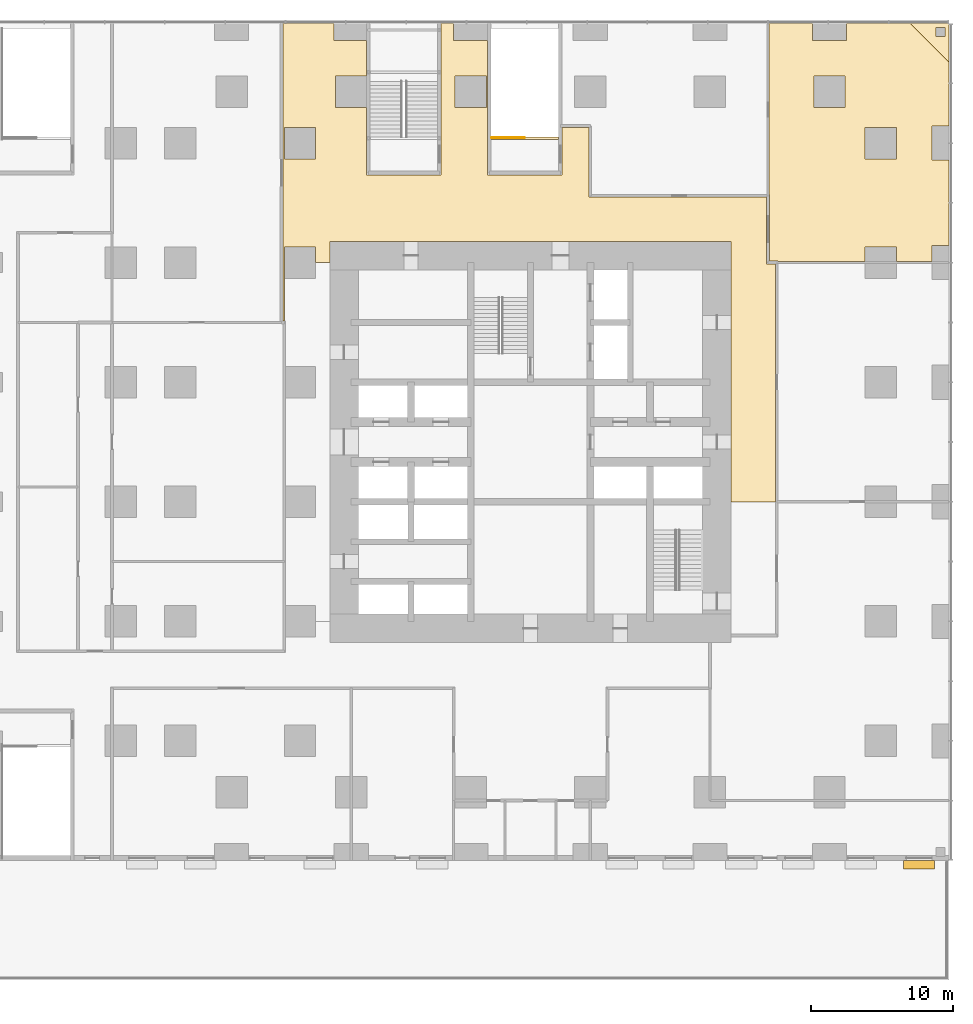
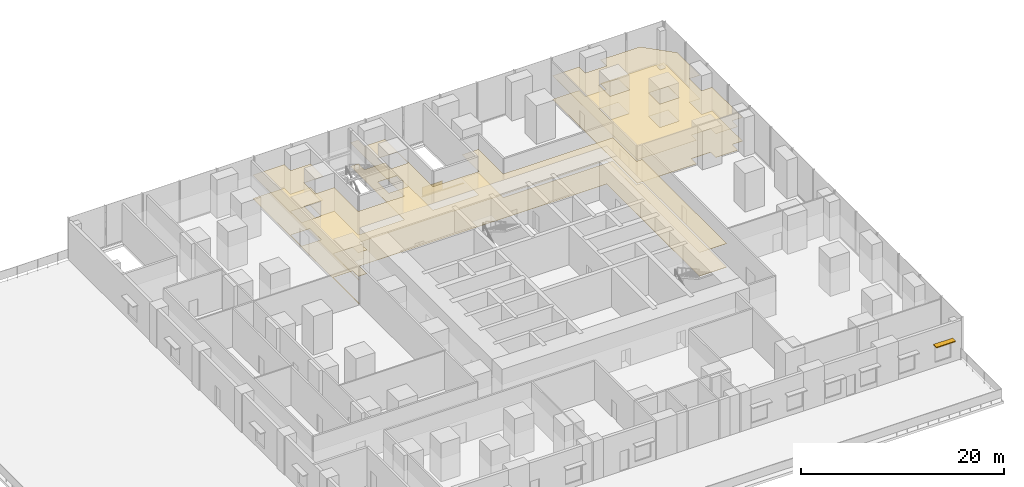
# One storey, part 18 of 18: 5 coverings, 1 railing, 1 shading device.
"""IFC4 building model written with IfcOpenShell, lengths in metres."""

from ifc_helpers import new_model, si_unit, direction, frame, origin, origin_2d, place, context, subcontext, project, spatial, polyline, rectangle, circle, outline, extrude, material, layer, layer_set, type_object, element, save


model = new_model("IFC4")

# Units and contexts
model_context = context("Model", 3, precision=1e-05, world=origin(), true_north=direction((0.0, 1.0)))
body_context = subcontext(model_context, "Body", "Model", "MODEL_VIEW")
ifc_project = project(units=[si_unit("LENGTHUNIT", "METRE"), si_unit("AREAUNIT", "SQUARE_METRE"), si_unit("VOLUMEUNIT", "CUBIC_METRE"), si_unit("PLANEANGLEUNIT", "RADIAN"), si_unit("MASSUNIT", "GRAM", prefix="KILO")], contexts=[model_context])

# Site, building, storey
site_placement = place(None, origin())
site = spatial("IfcSite", under=ifc_project, at=site_placement, CompositionType="ELEMENT")
building_placement = place(site_placement, origin())
building = spatial("IfcBuilding", under=site, at=building_placement, Name="Dunama Terrace Hotel", CompositionType="ELEMENT")
storey_placement = place(building_placement, frame((0.0, 0.0, 17.0)))
storey = spatial("IfcBuildingStorey", under=building, at=storey_placement, Name="L03", CompositionType="ELEMENT", Elevation=17.0)

# Railing
ifc_material_1 = material(Name="Stainless steel and laminated glass guard", Category="steel")
railing_type = type_object("IfcRailingType", Name="Guard 1100", PredefinedType="GUARDRAIL", material=ifc_material_1)
railing_placement = place(storey_placement, frame((26.675048828125, 50.77490234375, 0.030029296875)))
element("IfcRailing", 1, at=railing_placement, inside=storey, type_object=railing_type, Name="Stair well guard P6 L03", PredefinedType="GUARDRAIL", context=body_context, shape_type="SweptSolid", body=[
    extrude(circle(Radius=0.02392578125, at=origin_2d()), frame((0.0, 0.0, 1.076171875), z_axis=(1.0, 0.0, 0.0), x_axis=(0.0, 1.0, 0.0)), (0.0, 0.0, 1.0), 2.300048828125),
    extrude(circle(Radius=0.02099609375, at=origin_2d()), frame((0.0, 0.0, -0.030029296875)), (0.0, 0.0, 1.0), 1.08203125),
    extrude(circle(Radius=0.02099609375, at=origin_2d()), frame((1.14990234375, 0.0, -0.030029296875)), (0.0, 0.0, 1.0), 1.08203125),
    extrude(circle(Radius=0.02099609375, at=origin_2d()), frame((2.300048828125, 0.0, -0.030029296875)), (0.0, 0.0, 1.0), 1.08203125),
    extrude(outline(polyline([(0.0048828125, 0.050048828125), (1.14501953125, 0.050048828125), (1.14501953125, 1.076171875), (0.0048828125, 1.076171875), (0.0048828125, 0.050048828125)])), frame((0.0, 0.0087890625, 0.0), z_axis=(0.0, -1.0, 0.0), x_axis=(1.0, 0.0, 0.0)), (0.0, 0.0, 1.0), 0.017578125),
    extrude(outline(polyline([(0.0048828125, 0.050048828125), (1.14501953125, 0.050048828125), (1.14501953125, 1.076171875), (0.0048828125, 1.076171875), (0.0048828125, 0.050048828125)])), frame((1.14990234375, 0.0087890625, 0.0), z_axis=(0.0, -1.0, 0.0), x_axis=(1.0, 0.0, 0.0)), (0.0, 0.0, 1.0), 0.017578125),
])

# Coverings
ifc_material_2 = material(Name="Natural stone floor tiles", Category="masonry")
ifc_layer_1 = layer(ifc_material_2, 0.030029296875)
ifc_layer_set_1 = layer_set([ifc_layer_1], Name="Stone floor finish 30")
covering_type_1 = type_object("IfcCoveringType", Name="Stone floor finish 30", PredefinedType="FLOORING", material=ifc_layer_set_1)
covering_1_placement = place(storey_placement, origin())
element("IfcCovering", 2, at=covering_1_placement, inside=storey, type_object=covering_type_1, Name="Stair threshold P6 L03", PredefinedType="FLOORING", context=body_context, shape_type="SweptSolid", body=[
    extrude(outline(polyline([(31.375, 50.659912109375), (31.375, 50.824951171875), (26.625, 50.824951171875), (26.625, 50.659912109375), (31.375, 50.659912109375)])), origin(), (0.0, 0.0, 1.0), 0.030029296875),
])
covering_2_placement = place(storey_placement, origin())
element("IfcCovering", 3, at=covering_2_placement, inside=storey, type_object=covering_type_1, Name="Floor finish L03-28", PredefinedType="FLOORING", context=body_context, shape_type="SweptSolid", body=[
    extrude(outline(polyline([(49.199951171875, 58.800048828125), (46.162109375, 58.800048828125), (46.162109375, 46.800048828125), (46.18701171875, 46.800048828125), (46.18701171875, 46.60009765625), (46.18701171875, 42.10009765625), (46.60009765625, 42.10009765625), (46.699951171875, 42.10009765625), (46.800048828125, 42.10009765625), (46.800048828125, 42.074951171875), (52.89990234375, 42.074951171875), (52.89990234375, 43.10009765625), (55.10009765625, 43.10009765625), (55.10009765625, 42.074951171875), (57.60009765625, 42.074951171875), (57.60009765625, 43.199951171875), (58.800048828125, 43.199951171875), (58.800048828125, 49.199951171875), (57.60009765625, 49.199951171875), (57.60009765625, 51.60009765625), (58.800048828125, 51.60009765625), (58.800048828125, 58.800048828125), (51.60009765625, 58.800048828125), (51.60009765625, 57.60009765625), (49.199951171875, 57.60009765625), (49.199951171875, 58.800048828125)]), holes=[polyline([(52.89990234375, 51.5), (55.10009765625, 51.5), (55.10009765625, 49.300048828125), (52.89990234375, 49.300048828125), (52.89990234375, 51.5)]), polyline([(49.300048828125, 55.10009765625), (51.5, 55.10009765625), (51.5, 52.89990234375), (49.300048828125, 52.89990234375), (49.300048828125, 55.10009765625)]), polyline([(58.52490234375, 58.52490234375), (58.52490234375, 57.875), (57.875, 57.875), (57.875, 58.52490234375), (58.52490234375, 58.52490234375)])]), origin(), (0.0, 0.0, 1.0), 0.030029296875),
])
covering_3_placement = place(storey_placement, origin())
element("IfcCovering", 4, at=covering_3_placement, inside=storey, type_object=covering_type_1, Name="Floor finish L03-39", PredefinedType="FLOORING", context=body_context, shape_type="SweptSolid", body=[
    extrude(outline(polyline([(43.5, 25.199951171875), (46.60009765625, 25.199951171875), (46.60009765625, 41.89990234375), (46.18701171875, 41.89990234375), (46.0869140625, 41.89990234375), (45.987060546875, 41.89990234375), (45.987060546875, 42.10009765625), (45.987060546875, 46.60009765625), (33.699951171875, 46.60009765625), (33.60009765625, 46.60009765625), (33.5, 46.60009765625), (33.5, 46.800048828125), (33.5, 51.5), (31.625, 51.5), (31.625, 48.425048828125), (31.625, 48.300048828125), (31.625, 48.175048828125), (31.375, 48.175048828125), (26.625, 48.175048828125), (26.5, 48.175048828125), (26.375, 48.175048828125), (26.375, 48.425048828125), (26.375, 57.60009765625), (24.0, 57.60009765625), (24.0, 58.800048828125), (23.125, 58.800048828125), (23.125, 48.425048828125), (23.125, 48.300048828125), (23.125, 48.175048828125), (22.875, 48.175048828125), (18.125, 48.175048828125), (18.0, 48.175048828125), (17.875, 48.175048828125), (17.875, 48.425048828125), (17.875, 52.89990234375), (15.699951171875, 52.89990234375), (15.699951171875, 55.10009765625), (17.875, 55.10009765625), (17.875, 57.60009765625), (15.60009765625, 57.60009765625), (15.60009765625, 58.800048828125), (12.0, 58.800048828125), (12.0, 37.89990234375), (12.10009765625, 37.89990234375), (12.10009765625, 40.89990234375), (12.10009765625, 42.0), (12.10009765625, 43.10009765625), (14.300048828125, 43.10009765625), (14.300048828125, 42.0), (15.300048828125, 42.0), (15.300048828125, 42.5), (15.300048828125, 43.5), (17.300048828125, 43.5), (41.5, 43.5), (42.5, 43.5), (43.5, 43.5), (43.5, 41.5), (43.5, 25.199951171875)]), holes=[polyline([(12.10009765625, 51.5), (14.300048828125, 51.5), (14.300048828125, 49.300048828125), (12.10009765625, 49.300048828125), (12.10009765625, 51.5)]), polyline([(24.10009765625, 55.10009765625), (26.300048828125, 55.10009765625), (26.300048828125, 52.89990234375), (24.10009765625, 52.89990234375), (24.10009765625, 55.10009765625)])]), origin(), (0.0, 0.0, 1.0), 0.030029296875),
])

# Shading device
ifc_material_3 = material(Name="Precast stone sunshade", Category="masonry")
ifc_layer_2 = layer(ifc_material_3, 0.10009765625)
ifc_layer_set_2 = layer_set([ifc_layer_2], Name="Stone sunshade 600")
shading_device_type = type_object("IfcShadingDeviceType", Name="Stone sunshade 600", PredefinedType="USERDEFINED", material=ifc_layer_set_2)
shading_device_placement = place(storey_placement, frame((56.699951171875, -0.300048828125, 2.75), z_axis=(0.0, 0.0, 1.0), x_axis=(1.0, 0.0, 0.0)))
element("IfcShadingDevice", 5, at=shading_device_placement, inside=storey, type_object=shading_device_type, Name="Sunshade L03", ObjectType="SUNSHADE", PredefinedType="USERDEFINED", context=body_context, shape_type="SweptSolid", body=[
    extrude(rectangle(XDim=2.199951171875, YDim=0.60009765625, at=origin_2d()), origin(), (0.0, 0.0, 1.0), 0.10009765625),
])

# Coverings
ifc_material_4 = material(Name="Gypsum plasterboard ceiling")
ifc_layer_3 = layer(ifc_material_4, 0.02001953125)
ifc_layer_set_3 = layer_set([ifc_layer_3], Name="Suspended ceiling 20")
covering_type_2 = type_object("IfcCoveringType", Name="Suspended ceiling 20", PredefinedType="CEILING", material=ifc_layer_set_3)
covering_4_placement = place(storey_placement, frame((0.0, 0.0, 2.85009765625)))
element("IfcCovering", 6, at=covering_4_placement, inside=storey, type_object=covering_type_2, Name="Ceiling L03-28", PredefinedType="CEILING", context=body_context, shape_type="SweptSolid", body=[
    extrude(outline(polyline([(49.199951171875, 57.60009765625), (49.199951171875, 58.800048828125), (46.162109375, 58.800048828125), (46.162109375, 46.800048828125), (46.18701171875, 46.800048828125), (46.18701171875, 46.60009765625), (46.18701171875, 42.10009765625), (46.60009765625, 42.10009765625), (46.699951171875, 42.10009765625), (46.800048828125, 42.10009765625), (46.800048828125, 42.074951171875), (52.89990234375, 42.074951171875), (52.89990234375, 43.10009765625), (55.10009765625, 43.10009765625), (55.10009765625, 42.074951171875), (57.60009765625, 42.074951171875), (57.60009765625, 43.199951171875), (58.800048828125, 43.199951171875), (58.800048828125, 49.199951171875), (57.60009765625, 49.199951171875), (57.60009765625, 51.60009765625), (58.800048828125, 51.60009765625), (58.800048828125, 56.10009765625), (56.10009765625, 58.800048828125), (51.60009765625, 58.800048828125), (51.60009765625, 57.60009765625), (49.199951171875, 57.60009765625)]), holes=[polyline([(52.89990234375, 49.300048828125), (52.89990234375, 51.5), (55.10009765625, 51.5), (55.10009765625, 49.300048828125), (52.89990234375, 49.300048828125)]), polyline([(49.300048828125, 52.89990234375), (49.300048828125, 55.10009765625), (51.5, 55.10009765625), (51.5, 52.89990234375), (49.300048828125, 52.89990234375)])]), origin(), (0.0, 0.0, 1.0), 0.02001953125),
])
covering_5_placement = place(storey_placement, frame((0.0, 0.0, 2.85009765625)))
element("IfcCovering", 7, at=covering_5_placement, inside=storey, type_object=covering_type_2, Name="Ceiling L03-39", PredefinedType="CEILING", context=body_context, shape_type="SweptSolid", body=[
    extrude(outline(polyline([(43.5, 41.5), (43.5, 25.199951171875), (46.60009765625, 25.199951171875), (46.60009765625, 41.89990234375), (46.18701171875, 41.89990234375), (46.0869140625, 41.89990234375), (45.987060546875, 41.89990234375), (45.987060546875, 42.10009765625), (45.987060546875, 46.60009765625), (33.699951171875, 46.60009765625), (33.60009765625, 46.60009765625), (33.5, 46.60009765625), (33.5, 46.800048828125), (33.5, 51.5), (31.625, 51.5), (31.625, 48.425048828125), (31.625, 48.300048828125), (31.625, 48.175048828125), (31.375, 48.175048828125), (26.625, 48.175048828125), (26.5, 48.175048828125), (26.375, 48.175048828125), (26.375, 48.425048828125), (26.375, 57.60009765625), (24.0, 57.60009765625), (24.0, 58.800048828125), (23.125, 58.800048828125), (23.125, 48.425048828125), (23.125, 48.300048828125), (23.125, 48.175048828125), (22.875, 48.175048828125), (18.125, 48.175048828125), (18.0, 48.175048828125), (17.875, 48.175048828125), (17.875, 48.425048828125), (17.875, 52.89990234375), (15.699951171875, 52.89990234375), (15.699951171875, 55.10009765625), (17.875, 55.10009765625), (17.875, 57.60009765625), (15.60009765625, 57.60009765625), (15.60009765625, 58.800048828125), (12.0, 58.800048828125), (12.0, 37.89990234375), (12.10009765625, 37.89990234375), (12.10009765625, 40.89990234375), (12.10009765625, 42.0), (12.10009765625, 43.10009765625), (14.300048828125, 43.10009765625), (14.300048828125, 42.0), (15.300048828125, 42.0), (15.300048828125, 42.5), (15.300048828125, 43.5), (17.300048828125, 43.5), (41.5, 43.5), (42.5, 43.5), (43.5, 43.5), (43.5, 41.5)]), holes=[polyline([(12.10009765625, 49.300048828125), (12.10009765625, 51.5), (14.300048828125, 51.5), (14.300048828125, 49.300048828125), (12.10009765625, 49.300048828125)]), polyline([(24.10009765625, 52.89990234375), (24.10009765625, 55.10009765625), (26.300048828125, 55.10009765625), (26.300048828125, 52.89990234375), (24.10009765625, 52.89990234375)])]), origin(), (0.0, 0.0, 1.0), 0.02001953125),
])

save(model, "model.ifc")
